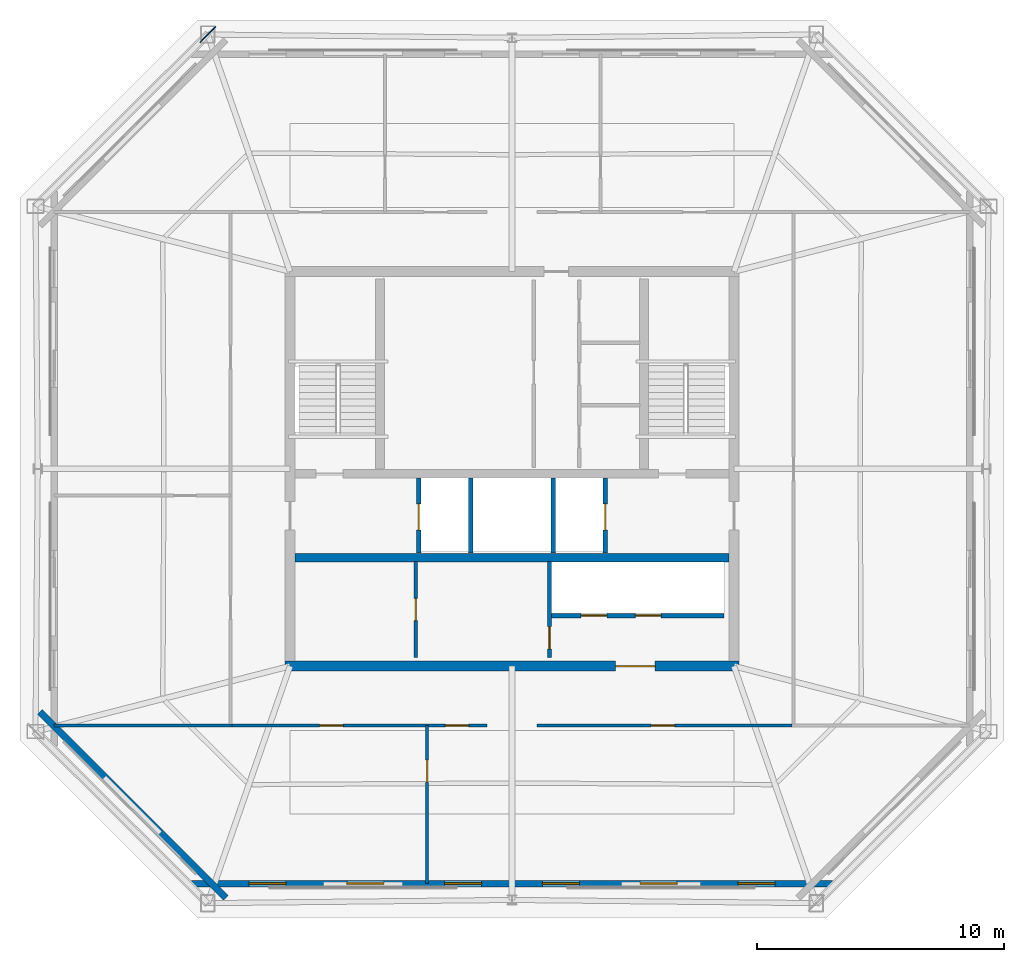
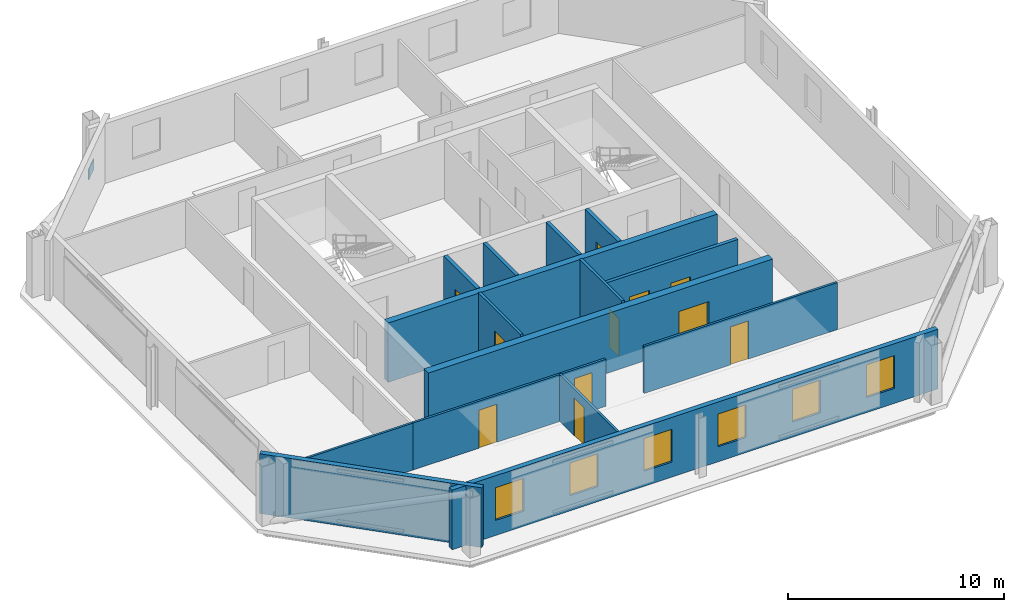
# One storey, part 2 of 6: 15 walls, 11 doors, 6 windows, 1 plate, 17 openings.
"""IFC4 building model written with IfcOpenShell, lengths in metres."""

from ifc_helpers import new_model, si_unit, direction, frame, frame_2d, origin, origin_2d, place, context, subcontext, project, spatial, rectangle, extrude, material, layer, layer_set, type_object, element, fill, save


model = new_model("IFC4")

# Units and contexts
model_context = context("Model", 3, precision=1e-05, world=origin(), true_north=direction((0.0, 1.0)))
body_context = subcontext(model_context, "Body", "Model", "MODEL_VIEW")
ifc_project = project(units=[si_unit("LENGTHUNIT", "METRE"), si_unit("AREAUNIT", "SQUARE_METRE"), si_unit("VOLUMEUNIT", "CUBIC_METRE"), si_unit("PLANEANGLEUNIT", "RADIAN"), si_unit("MASSUNIT", "GRAM", prefix="KILO")], contexts=[model_context])

# Site, building, storey
site_placement = place(None, origin())
site = spatial("IfcSite", under=ifc_project, at=site_placement, CompositionType="ELEMENT")
building_placement = place(site_placement, origin())
building = spatial("IfcBuilding", under=site, at=building_placement, Name="Caelvoria Tower", CompositionType="ELEMENT")
storey_placement = place(building_placement, frame((0.0, 0.0, 243.0)))
storey = spatial("IfcBuildingStorey", under=building, at=storey_placement, Name="L64", CompositionType="ELEMENT", Elevation=243.0)

# Plate
ifc_material_1 = material(Name="Structural Steel ASTM A572 Gr.50", Category="steel")
ifc_layer_1 = layer(ifc_material_1, 0.0400390625, Name="Structural Steel ASTM A572 Gr.50")
ifc_layer_set_1 = layer_set([ifc_layer_1], Name="Megaframe Node Gusset Plate 900x600x40 - Structural Steel ASTM A572 Gr.50")
plate_type = type_object("IfcPlateType", Name="Megaframe Node Gusset Plate 900x600x40", PredefinedType="USERDEFINED", material=ifc_layer_set_1)
plate_placement = place(storey_placement, frame((33.6630859375, 49.6103515625, 0.02001953125), z_axis=(0.0, 0.0, 1.0), x_axis=(-0.708358317156, -0.705853026143, 0.0)))
element("IfcPlate", 1, at=plate_placement, inside=storey, type_object=plate_type, Name="Chamfer Mega Brace Gusset L64 NW", ObjectType="GUSSET_PLATE", PredefinedType="USERDEFINED", context=body_context, shape_type="SweptSolid", body=[
    extrude(rectangle(XDim=0.89990234375, YDim=0.0400390625, at=origin_2d()), origin(), (0.0, 0.0, 1.0), 0.60009765625),
])

# Wall
ifc_material_2 = material(Name="Concrete C50/60", Category="concrete")
ifc_layer_2 = layer(ifc_material_2, 0.35009765625, Name="Concrete C50/60")
ifc_layer_set_2 = layer_set([ifc_layer_2], Name="Core Internal Shear Wall 350 - Concrete C50/60")
wall_type_1 = type_object("IfcWallType", Name="Core Internal Shear Wall 350", PredefinedType="SHEAR", material=ifc_layer_set_2)
wall_1_placement = place(storey_placement, frame((37.199951171875, 28.39990234375, 0.0), z_axis=(0.0, 0.0, 1.0), x_axis=(1.0, 0.0, 0.0)))
element("IfcWall", 2, at=wall_1_placement, inside=storey, type_object=wall_type_1, Name="Core Shear Wall L64 M2", PredefinedType="SHEAR", context=body_context, shape_type="SweptSolid", body=[
    extrude(rectangle(XDim=17.60009765625, YDim=0.35009765625, at=frame_2d((8.800048828125, 0.0))), origin(), (0.0, 0.0, 1.0), 3.360107421875),
])

# Wall, opening, door
ifc_material_3 = material(Name="Double Gypsum Board on Steel Stud", Category="steel")
ifc_layer_3 = layer(ifc_material_3, 0.14990234375, Name="Double Gypsum Board on Steel Stud")
ifc_layer_set_3 = layer_set([ifc_layer_3], Name="Core Service Acoustic Partition Wall 150 - Double Gypsum Board on Steel Stud")
wall_type_2 = type_object("IfcWallType", Name="Core Service Acoustic Partition Wall 150", PredefinedType="PARTITIONING", material=ifc_layer_set_3)
wall_2_placement = place(storey_placement, frame((42.10009765625, 24.35009765625, 0.0), z_axis=(0.0, 0.0, 1.0), x_axis=(0.0, 1.0, 0.0)))
wall_2 = element("IfcWall", 3, at=wall_2_placement, inside=storey, type_object=wall_type_2, Name="Interior Partition IW-L64-RECL-MID", PredefinedType="PARTITIONING", context=body_context, shape_type="SweptSolid", body=[
    extrude(rectangle(XDim=3.89990234375, YDim=0.14990234375, at=frame_2d((1.949951171875, 0.0))), origin(), (0.0, 0.0, 1.0), 3.375),
])
opening_1_placement = place(wall_2_placement, frame((1.5, 0.0, 0.0)))
opening_1 = element("IfcOpeningElement", 4, at=opening_1_placement, cuts=wall_2, Name="Opening ID-06", PredefinedType="OPENING", context=body_context, shape_type="SweptSolid", body=[
    extrude(rectangle(XDim=0.89990234375, YDim=2.14990234375, at=frame_2d((0.449951171875, 1.074951171875))), frame((0.0, 0.0849609375, 0.0), z_axis=(0.0, -1.0, 0.0), x_axis=(1.0, 0.0, 0.0)), (0.0, 0.0, 1.0), 0.169921875),
])
ifc_material_4 = material(Name="Engineered Andean Oak Veneer Door", Category="wood")
door_type_1 = type_object("IfcDoorType", Name="Interior Timber Door 900x2150", OperationType="NOTDEFINED", PredefinedType="DOOR", material=ifc_material_4)
door_1_placement = place(opening_1_placement, origin())
door_1 = element("IfcDoor", 5, at=door_1_placement, inside=storey, type_object=door_type_1, Name="Interior Door DR-L64-RECL12", OperationType="SINGLE_SWING_LEFT", OverallHeight=2.14990234375, OverallWidth=0.89990234375, PredefinedType="DOOR", context=body_context, shape_type="SweptSolid", body=[
    extrude(rectangle(XDim=0.89990234375, YDim=2.14990234375, at=frame_2d((0.449951171875, 1.074951171875))), frame((0.0, 0.02490234375, 0.0), z_axis=(0.0, -1.0, 0.0), x_axis=(1.0, 0.0, 0.0)), (0.0, 0.0, 1.0), 0.050048828125),
])
fill(opening_1, door_1)

wall_3_placement = place(storey_placement, frame((47.52001953125, 24.35009765625, 0.0), z_axis=(0.0, 0.0, 1.0), x_axis=(0.0, 1.0, 0.0)))
wall_3 = element("IfcWall", 6, at=wall_3_placement, inside=storey, type_object=wall_type_2, Name="Interior Partition IW-L64-RECL2E", PredefinedType="PARTITIONING", context=body_context, shape_type="SweptSolid", body=[
    extrude(rectangle(XDim=3.89990234375, YDim=0.14990234375, at=frame_2d((1.949951171875, 0.0))), origin(), (0.0, 0.0, 1.0), 3.375),
])
opening_2_placement = place(wall_3_placement, frame((0.35009765625, 0.0, 0.0)))
opening_2 = element("IfcOpeningElement", 7, at=opening_2_placement, cuts=wall_3, Name="Opening ID-04", PredefinedType="OPENING", context=body_context, shape_type="SweptSolid", body=[
    extrude(rectangle(XDim=0.89990234375, YDim=2.14990234375, at=frame_2d((0.449951171875, 1.074951171875))), frame((0.0, 0.0849609375, 0.0), z_axis=(0.0, -1.0, 0.0), x_axis=(1.0, 0.0, 0.0)), (0.0, 0.0, 1.0), 0.169921875),
])
ifc_material_5 = material(Name="Acoustic Timber Fire Door", Category="wood")
door_type_2 = type_object("IfcDoorType", Name="Fire Door FD30S 900x2150", OperationType="NOTDEFINED", PredefinedType="DOOR", material=ifc_material_5)
door_2_placement = place(opening_2_placement, origin())
door_2 = element("IfcDoor", 8, at=door_2_placement, inside=storey, type_object=door_type_2, Name="Interior Door DR-L64-RECL2", OperationType="SINGLE_SWING_RIGHT", OverallHeight=2.14990234375, OverallWidth=0.89990234375, PredefinedType="DOOR", context=body_context, shape_type="SweptSolid", body=[
    extrude(rectangle(XDim=0.89990234375, YDim=2.14990234375, at=frame_2d((0.449951171875, 1.074951171875))), frame((0.0, 0.02490234375, 0.0), z_axis=(0.0, -1.0, 0.0), x_axis=(1.0, 0.0, 0.0)), (0.0, 0.0, 1.0), 0.050048828125),
])
fill(opening_2, door_2)

# Walls
ifc_material_6 = material(Name="Concrete Block and Fireboard Assembly", Category="concrete")
ifc_layer_4 = layer(ifc_material_6, 0.179931640625, Name="Concrete Block and Fireboard Assembly")
ifc_layer_set_4 = layer_set([ifc_layer_4], Name="Fire-Rated Hoistway Partition Wall 180 - Concrete Block and Fireboard Assembly")
wall_type_3 = type_object("IfcWallType", Name="Fire-Rated Hoistway Partition Wall 180", PredefinedType="PARTITIONING", material=ifc_layer_set_4)
for number, where, z_axis, x_axis, name in (
    (9, (44.320068359375, 28.580078125, 0.0), (0.0, 0.0, 1.0), (0.0, 1.0, 0.0), "Interior Partition IW-L64-SV1W"),
    (10, (47.679931640625, 28.580078125, 0.0), (0.0, 0.0, 1.0), (0.0, 1.0, 0.0), "Interior Partition IW-L64-SV1E"),
):
    element("IfcWall", number, at=place(storey_placement, frame(where, z_axis=z_axis, x_axis=x_axis)), inside=storey, type_object=wall_type_3, Name=name, PredefinedType="PARTITIONING", context=body_context, shape_type="SweptSolid", body=[
        extrude(rectangle(XDim=3.0400390625, YDim=0.179931640625, at=frame_2d((1.52001953125, 0.0))), origin(), (0.0, 0.0, 1.0), 3.375),
    ])

# Wall, openings, doors
wall_4_placement = place(storey_placement, frame((47.60009765625, 26.050048828125, 0.0), z_axis=(0.0, 0.0, 1.0), x_axis=(1.0, 0.0, 0.0)))
wall_4 = element("IfcWall", 11, at=wall_4_placement, inside=storey, type_object=wall_type_3, Name="Interior Partition IW-L64-LFRONT", PredefinedType="PARTITIONING", context=body_context, shape_type="SweptSolid", body=[
    extrude(rectangle(XDim=7.0, YDim=0.179931640625, at=frame_2d((3.5, 0.0))), origin(), (0.0, 0.0, 1.0), 3.375),
])
opening_3_placement = place(wall_4_placement, frame((1.199951171875, 0.0, 0.0)))
opening_3 = element("IfcOpeningElement", 12, at=opening_3_placement, cuts=wall_4, Name="Opening LD-01", PredefinedType="OPENING", context=body_context, shape_type="SweptSolid", body=[
    extrude(rectangle(XDim=1.050048828125, YDim=2.14990234375, at=frame_2d((0.52490234375, 1.074951171875))), frame((0.0, 0.099853515625, 0.0), z_axis=(0.0, -1.0, 0.0), x_axis=(1.0, 0.0, 0.0)), (0.0, 0.0, 1.0), 0.199951171875),
])
opening_4_placement = place(wall_4_placement, frame((3.39990234375, 0.0, 0.0)))
opening_4 = element("IfcOpeningElement", 13, at=opening_4_placement, cuts=wall_4, Name="Opening LD-01", PredefinedType="OPENING", context=body_context, shape_type="SweptSolid", body=[
    extrude(rectangle(XDim=1.050048828125, YDim=2.14990234375, at=frame_2d((0.52490234375, 1.074951171875))), frame((0.0, 0.099853515625, 0.0), z_axis=(0.0, -1.0, 0.0), x_axis=(1.0, 0.0, 0.0)), (0.0, 0.0, 1.0), 0.199951171875),
])
ifc_material_7 = material(Name="Brushed Bronze Stainless Sliding Landing Door", Category="aluminium")
door_type_3 = type_object("IfcDoorType", Name="Lift Landing Sliding Door 1100x2150", OperationType="NOTDEFINED", PredefinedType="DOOR", material=ifc_material_7)
door_3_placement = place(opening_3_placement, origin())
door_3 = element("IfcDoor", 14, at=door_3_placement, inside=storey, type_object=door_type_3, Name="Interior Door LD-L64-PH1", OperationType="SLIDING_TO_LEFT", OverallHeight=2.14990234375, OverallWidth=1.050048828125, PredefinedType="DOOR", context=body_context, shape_type="SweptSolid", body=[
    extrude(rectangle(XDim=1.050048828125, YDim=2.14990234375, at=frame_2d((0.52490234375, 1.074951171875))), frame((0.0, 0.02490234375, 0.0), z_axis=(0.0, -1.0, 0.0), x_axis=(1.0, 0.0, 0.0)), (0.0, 0.0, 1.0), 0.050048828125),
])
fill(opening_3, door_3)
door_4_placement = place(opening_4_placement, origin())
door_4 = element("IfcDoor", 15, at=door_4_placement, inside=storey, type_object=door_type_3, Name="Interior Door LD-L64-PH2", OperationType="SLIDING_TO_RIGHT", OverallHeight=2.14990234375, OverallWidth=1.050048828125, PredefinedType="DOOR", context=body_context, shape_type="SweptSolid", body=[
    extrude(rectangle(XDim=1.050048828125, YDim=2.14990234375, at=frame_2d((0.52490234375, 1.074951171875))), frame((0.0, 0.02490234375, 0.0), z_axis=(0.0, -1.0, 0.0), x_axis=(1.0, 0.0, 0.0)), (0.0, 0.0, 1.0), 0.050048828125),
])
fill(opening_4, door_4)

# Wall, opening, door
ifc_layer_5 = layer(ifc_material_6, 0.199951171875, Name="Concrete Block and Fireboard Assembly")
ifc_layer_set_5 = layer_set([ifc_layer_5], Name="Fire-Rated Shaft and Core Partition Wall 200 - Concrete Block and Fireboard Assembly")
wall_type_4 = type_object("IfcWallType", Name="Fire-Rated Shaft and Core Partition Wall 200", PredefinedType="PARTITIONING", material=ifc_layer_set_5)
wall_5_placement = place(storey_placement, frame((42.219970703125, 28.580078125, 0.0), z_axis=(0.0, 0.0, 1.0), x_axis=(0.0, 1.0, 0.0)))
wall_5 = element("IfcWall", 16, at=wall_5_placement, inside=storey, type_object=wall_type_4, Name="Interior Partition IW-L64-LF1W", PredefinedType="PARTITIONING", context=body_context, shape_type="SweptSolid", body=[
    extrude(rectangle(XDim=3.0400390625, YDim=0.199951171875, at=frame_2d((1.52001953125, 0.0))), origin(), (0.0, 0.0, 1.0), 3.375),
])
opening_5_placement = place(wall_5_placement, frame((0.949951171875, 0.0, 0.0)))
opening_5 = element("IfcOpeningElement", 17, at=opening_5_placement, cuts=wall_5, Name="Opening LD-01", PredefinedType="OPENING", context=body_context, shape_type="SweptSolid", body=[
    extrude(rectangle(XDim=1.050048828125, YDim=2.14990234375, at=frame_2d((0.52490234375, 1.074951171875))), frame((0.0, 0.10986328125, 0.0), z_axis=(0.0, -1.0, 0.0), x_axis=(1.0, 0.0, 0.0)), (0.0, 0.0, 1.0), 0.219970703125),
])
door_5_placement = place(opening_5_placement, origin())
door_5 = element("IfcDoor", 18, at=door_5_placement, inside=storey, type_object=door_type_3, Name="Interior Door LD-L64-LF1", OperationType="SLIDING_TO_LEFT", OverallHeight=2.14990234375, OverallWidth=1.050048828125, PredefinedType="DOOR", context=body_context, shape_type="SweptSolid", body=[
    extrude(rectangle(XDim=1.050048828125, YDim=2.14990234375, at=frame_2d((0.52490234375, 1.074951171875))), frame((0.0, 0.02490234375, 0.0), z_axis=(0.0, -1.0, 0.0), x_axis=(1.0, 0.0, 0.0)), (0.0, 0.0, 1.0), 0.050048828125),
])
fill(opening_5, door_5)

wall_6_placement = place(storey_placement, frame((49.780029296875, 28.580078125, 0.0), z_axis=(0.0, 0.0, 1.0), x_axis=(0.0, 1.0, 0.0)))
wall_6 = element("IfcWall", 19, at=wall_6_placement, inside=storey, type_object=wall_type_4, Name="Interior Partition IW-L64-LF2E", PredefinedType="PARTITIONING", context=body_context, shape_type="SweptSolid", body=[
    extrude(rectangle(XDim=3.0400390625, YDim=0.199951171875, at=frame_2d((1.52001953125, 0.0))), origin(), (0.0, 0.0, 1.0), 3.375),
])
opening_6_placement = place(wall_6_placement, frame((0.949951171875, 0.0, 0.0)))
opening_6 = element("IfcOpeningElement", 20, at=opening_6_placement, cuts=wall_6, Name="Opening LD-01", PredefinedType="OPENING", context=body_context, shape_type="SweptSolid", body=[
    extrude(rectangle(XDim=1.050048828125, YDim=2.14990234375, at=frame_2d((0.52490234375, 1.074951171875))), frame((0.0, 0.10986328125, 0.0), z_axis=(0.0, -1.0, 0.0), x_axis=(1.0, 0.0, 0.0)), (0.0, 0.0, 1.0), 0.219970703125),
])
door_6_placement = place(opening_6_placement, origin())
door_6 = element("IfcDoor", 21, at=door_6_placement, inside=storey, type_object=door_type_3, Name="Interior Door LD-L64-LF2", OperationType="SLIDING_TO_RIGHT", OverallHeight=2.14990234375, OverallWidth=1.050048828125, PredefinedType="DOOR", context=body_context, shape_type="SweptSolid", body=[
    extrude(rectangle(XDim=1.050048828125, YDim=2.14990234375, at=frame_2d((0.52490234375, 1.074951171875))), frame((0.0, 0.02490234375, 0.0), z_axis=(0.0, -1.0, 0.0), x_axis=(1.0, 0.0, 0.0)), (0.0, 0.0, 1.0), 0.050048828125),
])
fill(opening_6, door_6)

ifc_layer_6 = layer(ifc_material_2, 0.39990234375, Name="Concrete C50/60")
ifc_layer_set_6 = layer_set([ifc_layer_6], Name="Summit Core Shear Wall 400 - Concrete C50/60")
wall_type_5 = type_object("IfcWallType", Name="Summit Core Shear Wall 400", PredefinedType="SHEAR", material=ifc_layer_set_6)
wall_7_placement = place(storey_placement, frame((36.800048828125, 24.0, 0.0), z_axis=(0.0, 0.0, 1.0), x_axis=(1.0, 0.0, 0.0)))
wall_7 = element("IfcWall", 22, at=wall_7_placement, inside=storey, type_object=wall_type_5, Name="Core Shear Wall L64 S", PredefinedType="SHEAR", context=body_context, shape_type="SweptSolid", body=[
    extrude(rectangle(XDim=18.39990234375, YDim=0.39990234375, at=frame_2d((9.199951171875, 0.0))), origin(), (0.0, 0.0, 1.0), 3.360107421875),
])
opening_7_placement = place(wall_7_placement, frame((13.39990234375, 0.0, 0.0)))
opening_7 = element("IfcOpeningElement", 23, at=opening_7_placement, cuts=wall_7, Name="Opening ID-08", PredefinedType="OPENING", context=body_context, shape_type="SweptSolid", body=[
    extrude(rectangle(XDim=1.60009765625, YDim=2.14990234375, at=frame_2d((0.800048828125, 1.074951171875))), frame((0.0, 0.2099609375, 0.0), z_axis=(0.0, -1.0, 0.0), x_axis=(1.0, 0.0, 0.0)), (0.0, 0.0, 1.0), 0.419921875),
])
ifc_material_8 = material(Name="Bronze-Framed Fire-Rated Glazed Double Door", Category="aluminium")
door_type_4 = type_object("IfcDoorType", Name="Double Lobby Glazed Door 1600x2200", OperationType="NOTDEFINED", PredefinedType="DOOR", material=ifc_material_8)
door_7_placement = place(opening_7_placement, origin())
door_7 = element("IfcDoor", 24, at=door_7_placement, inside=storey, type_object=door_type_4, Name="Core Door DR-L64-LLOB-S2", OperationType="DOUBLE_DOOR_SINGLE_SWING", OverallHeight=2.14990234375, OverallWidth=1.60009765625, PredefinedType="DOOR", context=body_context, shape_type="SweptSolid", body=[
    extrude(rectangle(XDim=1.60009765625, YDim=2.14990234375, at=frame_2d((0.800048828125, 1.074951171875))), frame((0.0, 0.02490234375, 0.0), z_axis=(0.0, -1.0, 0.0), x_axis=(1.0, 0.0, 0.0)), (0.0, 0.0, 1.0), 0.050048828125),
])
fill(opening_7, door_7)

ifc_material_9 = material(Name="Acoustic Gypsum Board on Light-Gauge Stud", Category="gypsum")
ifc_layer_7 = layer(ifc_material_9, 0.1201171875, Name="Acoustic Gypsum Board on Light-Gauge Stud")
ifc_layer_set_7 = layer_set([ifc_layer_7], Name="Tenant Suite Acoustic Partition Wall 120 - Acoustic Gypsum Board on Light-Gauge Stud")
wall_type_6 = type_object("IfcWallType", Name="Tenant Suite Acoustic Partition Wall 120", PredefinedType="PARTITIONING", material=ifc_layer_set_7)
wall_8_placement = place(storey_placement, frame((42.55908203125, 21.590087890625, 0.0), z_axis=(0.0, 0.0, 1.0), x_axis=(0.0, -1.0, 0.0)))
wall_8 = element("IfcWall", 25, at=wall_8_placement, inside=storey, type_object=wall_type_6, Name="Interior Partition IW-L64-SD-00-0", PredefinedType="PARTITIONING", context=body_context, shape_type="SweptSolid", body=[
    extrude(rectangle(XDim=6.41015625, YDim=0.1201171875, at=frame_2d((3.205078125, 0.0))), origin(), (0.0, 0.0, 1.0), 2.655029296875),
])
opening_8_placement = place(wall_8_placement, frame((1.39990234375, 0.0, 0.0)))
opening_8 = element("IfcOpeningElement", 26, at=opening_8_placement, cuts=wall_8, Name="Opening ID-06", PredefinedType="OPENING", context=body_context, shape_type="SweptSolid", body=[
    extrude(rectangle(XDim=0.89990234375, YDim=2.14990234375, at=frame_2d((0.449951171875, 1.074951171875))), frame((0.0, 0.070068359375, 0.0), z_axis=(0.0, -1.0, 0.0), x_axis=(1.0, 0.0, 0.0)), (0.0, 0.0, 1.0), 0.14013671875),
])
door_8_placement = place(opening_8_placement, origin())
door_8 = element("IfcDoor", 27, at=door_8_placement, inside=storey, type_object=door_type_1, Name="Interior Door DR-L64-SM-00-0", OperationType="SINGLE_SWING_RIGHT", OverallHeight=2.14990234375, OverallWidth=0.89990234375, PredefinedType="DOOR", context=body_context, shape_type="SweptSolid", body=[
    extrude(rectangle(XDim=0.89990234375, YDim=2.14990234375, at=frame_2d((0.449951171875, 1.074951171875))), frame((0.0, 0.02490234375, 0.0), z_axis=(0.0, -1.0, 0.0), x_axis=(1.0, 0.0, 0.0)), (0.0, 0.0, 1.0), 0.050048828125),
])
fill(opening_8, door_8)

# Wall, openings, doors
wall_9_placement = place(storey_placement, frame((34.64990234375, 21.590087890625, 0.0), z_axis=(0.0, 0.0, 1.0), x_axis=(1.0, 0.0, 0.0)))
wall_9 = element("IfcWall", 28, at=wall_9_placement, inside=storey, type_object=wall_type_6, Name="Interior Partition IW-L64-SCW-0", PredefinedType="PARTITIONING", context=body_context, shape_type="SweptSolid", body=[
    extrude(rectangle(XDim=10.330078125, YDim=0.1201171875, at=frame_2d((5.1650390625, 0.0))), origin(), (0.0, 0.0, 1.0), 2.655029296875),
])
opening_9_placement = place(wall_9_placement, frame((3.549560546875, 0.0, 0.0)))
opening_9 = element("IfcOpeningElement", 29, at=opening_9_placement, cuts=wall_9, Name="Opening ID-05", PredefinedType="OPENING", context=body_context, shape_type="SweptSolid", body=[
    extrude(rectangle(XDim=0.949951171875, YDim=2.14990234375, at=frame_2d((0.47509765625, 1.074951171875))), frame((0.0, 0.070068359375, 0.0), z_axis=(0.0, -1.0, 0.0), x_axis=(1.0, 0.0, 0.0)), (0.0, 0.0, 1.0), 0.14013671875),
])
opening_10_placement = place(wall_9_placement, frame((8.64453125, 0.0, 0.0)))
opening_10 = element("IfcOpeningElement", 30, at=opening_10_placement, cuts=wall_9, Name="Opening ID-05", PredefinedType="OPENING", context=body_context, shape_type="SweptSolid", body=[
    extrude(rectangle(XDim=0.949951171875, YDim=2.14990234375, at=frame_2d((0.47509765625, 1.074951171875))), frame((0.0, 0.070068359375, 0.0), z_axis=(0.0, -1.0, 0.0), x_axis=(1.0, 0.0, 0.0)), (0.0, 0.0, 1.0), 0.14013671875),
])
door_type_5 = type_object("IfcDoorType", Name="Interior Timber Door 950x2150", OperationType="NOTDEFINED", PredefinedType="DOOR", material=ifc_material_4)
door_9_placement = place(opening_9_placement, origin())
door_9 = element("IfcDoor", 31, at=door_9_placement, inside=storey, type_object=door_type_5, Name="Interior Door DR-L64-SC-00-0", OperationType="SINGLE_SWING_LEFT", OverallHeight=2.14990234375, OverallWidth=0.949951171875, PredefinedType="DOOR", context=body_context, shape_type="SweptSolid", body=[
    extrude(rectangle(XDim=0.949951171875, YDim=2.14990234375, at=frame_2d((0.47509765625, 1.074951171875))), frame((0.0, 0.02490234375, 0.0), z_axis=(0.0, -1.0, 0.0), x_axis=(1.0, 0.0, 0.0)), (0.0, 0.0, 1.0), 0.050048828125),
])
fill(opening_9, door_9)
door_10_placement = place(opening_10_placement, origin())
door_10 = element("IfcDoor", 32, at=door_10_placement, inside=storey, type_object=door_type_5, Name="Interior Door DR-L64-SC-01-0", OperationType="SINGLE_SWING_RIGHT", OverallHeight=2.14990234375, OverallWidth=0.949951171875, PredefinedType="DOOR", context=body_context, shape_type="SweptSolid", body=[
    extrude(rectangle(XDim=0.949951171875, YDim=2.14990234375, at=frame_2d((0.47509765625, 1.074951171875))), frame((0.0, 0.02490234375, 0.0), z_axis=(0.0, -1.0, 0.0), x_axis=(1.0, 0.0, 0.0)), (0.0, 0.0, 1.0), 0.050048828125),
])
fill(opening_10, door_10)

# Wall, opening, door
wall_10_placement = place(storey_placement, frame((47.02001953125, 21.590087890625, 0.0), z_axis=(0.0, 0.0, 1.0), x_axis=(1.0, 0.0, 0.0)))
wall_10 = element("IfcWall", 33, at=wall_10_placement, inside=storey, type_object=wall_type_6, Name="Interior Partition IW-L64-SCW-1", PredefinedType="PARTITIONING", context=body_context, shape_type="SweptSolid", body=[
    extrude(rectangle(XDim=10.330078125, YDim=0.1201171875, at=frame_2d((5.1650390625, 0.0))), origin(), (0.0, 0.0, 1.0), 2.655029296875),
])
opening_11_placement = place(wall_10_placement, frame((4.6201171875, 0.0, 0.0)))
opening_11 = element("IfcOpeningElement", 34, at=opening_11_placement, cuts=wall_10, Name="Opening ID-05", PredefinedType="OPENING", context=body_context, shape_type="SweptSolid", body=[
    extrude(rectangle(XDim=0.949951171875, YDim=2.14990234375, at=frame_2d((0.47509765625, 1.074951171875))), frame((0.0, 0.070068359375, 0.0), z_axis=(0.0, -1.0, 0.0), x_axis=(1.0, 0.0, 0.0)), (0.0, 0.0, 1.0), 0.14013671875),
])
door_11_placement = place(opening_11_placement, origin())
door_11 = element("IfcDoor", 35, at=door_11_placement, inside=storey, type_object=door_type_5, Name="Interior Door DR-L64-SC-02-0", OperationType="SINGLE_SWING_LEFT", OverallHeight=2.14990234375, OverallWidth=0.949951171875, PredefinedType="DOOR", context=body_context, shape_type="SweptSolid", body=[
    extrude(rectangle(XDim=0.949951171875, YDim=2.14990234375, at=frame_2d((0.47509765625, 1.074951171875))), frame((0.0, 0.02490234375, 0.0), z_axis=(0.0, -1.0, 0.0), x_axis=(1.0, 0.0, 0.0)), (0.0, 0.0, 1.0), 0.050048828125),
])
fill(opening_11, door_11)

# Wall
wall_11_placement = place(storey_placement, frame((34.64990234375, 21.590087890625, 0.0), z_axis=(0.0, 0.0, 1.0), x_axis=(-1.0, 0.0, 0.0)))
element("IfcWall", 36, at=wall_11_placement, inside=storey, type_object=wall_type_6, Name="Interior Partition IW-L64-BSW-0", PredefinedType="PARTITIONING", context=body_context, shape_type="SweptSolid", body=[
    extrude(rectangle(XDim=7.219970703125, YDim=0.1201171875, at=frame_2d((3.60986328125, 0.0))), origin(), (0.0, 0.0, 1.0), 2.655029296875),
])

# Wall, openings, windows
ifc_material_10 = material(Name="Precast Concrete C40/50 with Bronze Cladding", Category="concrete")
ifc_layer_8 = layer(ifc_material_10, 0.264892578125, Name="Precast Concrete C40/50 with Bronze Cladding")
ifc_layer_set_8 = layer_set([ifc_layer_8], Name="Upper Taper Precast Concrete C40/50 Bronze Facade Wall 265 - Precast Concrete C40/50 with Bronze Cladding")
wall_type_7 = type_object("IfcWallType", Name="Upper Taper Precast Concrete C40/50 Bronze Facade Wall 265", PredefinedType="STANDARD", material=ifc_layer_set_8)
wall_12_placement = place(storey_placement, frame((33.010009765625, 15.179931640625, 0.0), z_axis=(0.0, 0.0, 1.0), x_axis=(1.0, 0.0, 0.0)))
wall_12 = element("IfcWall", 37, at=wall_12_placement, inside=storey, type_object=wall_type_7, Name="Exterior Facade Wall L64-E0", PredefinedType="STANDARD", context=body_context, shape_type="SweptSolid", body=[
    extrude(rectangle(XDim=25.97998046875, YDim=0.264892578125, at=frame_2d((12.989990234375, 0.0))), origin(), (0.0, 0.0, 1.0), 3.375),
])
opening_12_placement = place(wall_12_placement, frame((2.331787109375, 0.0, 0.85009765625)))
opening_12 = element("IfcOpeningElement", 38, at=opening_12_placement, cuts=wall_12, Name="Opening WN-03", PredefinedType="OPENING", context=body_context, shape_type="SweptSolid", body=[
    extrude(rectangle(XDim=1.5, YDim=1.85009765625, at=frame_2d((0.75, 0.925048828125))), frame((0.0, 0.142333984375, 0.0), z_axis=(0.0, -1.0, 0.0), x_axis=(1.0, 0.0, 0.0)), (0.0, 0.0, 1.0), 0.284912109375),
])
opening_13_placement = place(wall_12_placement, frame((6.294921875, 0.0, 0.85009765625)))
opening_13 = element("IfcOpeningElement", 39, at=opening_13_placement, cuts=wall_12, Name="Opening WN-03", PredefinedType="OPENING", context=body_context, shape_type="SweptSolid", body=[
    extrude(rectangle(XDim=1.5, YDim=1.85009765625, at=frame_2d((0.75, 0.925048828125))), frame((0.0, 0.142333984375, 0.0), z_axis=(0.0, -1.0, 0.0), x_axis=(1.0, 0.0, 0.0)), (0.0, 0.0, 1.0), 0.284912109375),
])
opening_14_placement = place(wall_12_placement, frame((10.25830078125, 0.0, 0.85009765625)))
opening_14 = element("IfcOpeningElement", 40, at=opening_14_placement, cuts=wall_12, Name="Opening WN-03", PredefinedType="OPENING", context=body_context, shape_type="SweptSolid", body=[
    extrude(rectangle(XDim=1.5, YDim=1.85009765625, at=frame_2d((0.75, 0.925048828125))), frame((0.0, 0.142333984375, 0.0), z_axis=(0.0, -1.0, 0.0), x_axis=(1.0, 0.0, 0.0)), (0.0, 0.0, 1.0), 0.284912109375),
])
opening_15_placement = place(wall_12_placement, frame((14.2216796875, 0.0, 0.85009765625)))
opening_15 = element("IfcOpeningElement", 41, at=opening_15_placement, cuts=wall_12, Name="Opening WN-03", PredefinedType="OPENING", context=body_context, shape_type="SweptSolid", body=[
    extrude(rectangle(XDim=1.5, YDim=1.85009765625, at=frame_2d((0.75, 0.925048828125))), frame((0.0, 0.142333984375, 0.0), z_axis=(0.0, -1.0, 0.0), x_axis=(1.0, 0.0, 0.0)), (0.0, 0.0, 1.0), 0.284912109375),
])
opening_16_placement = place(wall_12_placement, frame((18.18505859375, 0.0, 0.85009765625)))
opening_16 = element("IfcOpeningElement", 42, at=opening_16_placement, cuts=wall_12, Name="Opening WN-03", PredefinedType="OPENING", context=body_context, shape_type="SweptSolid", body=[
    extrude(rectangle(XDim=1.5, YDim=1.85009765625, at=frame_2d((0.75, 0.925048828125))), frame((0.0, 0.142333984375, 0.0), z_axis=(0.0, -1.0, 0.0), x_axis=(1.0, 0.0, 0.0)), (0.0, 0.0, 1.0), 0.284912109375),
])
opening_17_placement = place(wall_12_placement, frame((22.148193359375, 0.0, 0.85009765625)))
opening_17 = element("IfcOpeningElement", 43, at=opening_17_placement, cuts=wall_12, Name="Opening WN-03", PredefinedType="OPENING", context=body_context, shape_type="SweptSolid", body=[
    extrude(rectangle(XDim=1.5, YDim=1.85009765625, at=frame_2d((0.75, 0.925048828125))), frame((0.0, 0.142333984375, 0.0), z_axis=(0.0, -1.0, 0.0), x_axis=(1.0, 0.0, 0.0)), (0.0, 0.0, 1.0), 0.284912109375),
])
ifc_material_11 = material(Name="Low-E Tinted Glass in Bronze Aluminium Frame", Category="aluminium")
window_type = type_object("IfcWindowType", Name="Upper Taper Vision Window 1500x1850", PartitioningType="SINGLE_PANEL", PredefinedType="WINDOW", material=ifc_material_11)
window_1_placement = place(opening_12_placement, origin())
window_1 = element("IfcWindow", 44, at=window_1_placement, inside=storey, type_object=window_type, Name="Facade Window L64-E0-00", OverallHeight=1.85009765625, OverallWidth=1.5, PartitioningType="SINGLE_PANEL", PredefinedType="WINDOW", context=body_context, shape_type="SweptSolid", body=[
    extrude(rectangle(XDim=1.5, YDim=1.85009765625, at=frame_2d((0.75, 0.925048828125))), frame((0.0, 0.030029296875, 0.0), z_axis=(0.0, -1.0, 0.0), x_axis=(1.0, 0.0, 0.0)), (0.0, 0.0, 1.0), 0.06005859375),
])
fill(opening_12, window_1)
window_2_placement = place(opening_13_placement, origin())
window_2 = element("IfcWindow", 45, at=window_2_placement, inside=storey, type_object=window_type, Name="Facade Window L64-E0-01", OverallHeight=1.85009765625, OverallWidth=1.5, PartitioningType="SINGLE_PANEL", PredefinedType="WINDOW", context=body_context, shape_type="SweptSolid", body=[
    extrude(rectangle(XDim=1.5, YDim=1.85009765625, at=frame_2d((0.75, 0.925048828125))), frame((0.0, 0.030029296875, 0.0), z_axis=(0.0, -1.0, 0.0), x_axis=(1.0, 0.0, 0.0)), (0.0, 0.0, 1.0), 0.06005859375),
])
fill(opening_13, window_2)
window_3_placement = place(opening_14_placement, origin())
window_3 = element("IfcWindow", 46, at=window_3_placement, inside=storey, type_object=window_type, Name="Facade Window L64-E0-02", OverallHeight=1.85009765625, OverallWidth=1.5, PartitioningType="SINGLE_PANEL", PredefinedType="WINDOW", context=body_context, shape_type="SweptSolid", body=[
    extrude(rectangle(XDim=1.5, YDim=1.85009765625, at=frame_2d((0.75, 0.925048828125))), frame((0.0, 0.030029296875, 0.0), z_axis=(0.0, -1.0, 0.0), x_axis=(1.0, 0.0, 0.0)), (0.0, 0.0, 1.0), 0.06005859375),
])
fill(opening_14, window_3)
window_4_placement = place(opening_15_placement, origin())
window_4 = element("IfcWindow", 47, at=window_4_placement, inside=storey, type_object=window_type, Name="Facade Window L64-E0-03", OverallHeight=1.85009765625, OverallWidth=1.5, PartitioningType="SINGLE_PANEL", PredefinedType="WINDOW", context=body_context, shape_type="SweptSolid", body=[
    extrude(rectangle(XDim=1.5, YDim=1.85009765625, at=frame_2d((0.75, 0.925048828125))), frame((0.0, 0.030029296875, 0.0), z_axis=(0.0, -1.0, 0.0), x_axis=(1.0, 0.0, 0.0)), (0.0, 0.0, 1.0), 0.06005859375),
])
fill(opening_15, window_4)
window_5_placement = place(opening_16_placement, origin())
window_5 = element("IfcWindow", 48, at=window_5_placement, inside=storey, type_object=window_type, Name="Facade Window L64-E0-04", OverallHeight=1.85009765625, OverallWidth=1.5, PartitioningType="SINGLE_PANEL", PredefinedType="WINDOW", context=body_context, shape_type="SweptSolid", body=[
    extrude(rectangle(XDim=1.5, YDim=1.85009765625, at=frame_2d((0.75, 0.925048828125))), frame((0.0, 0.030029296875, 0.0), z_axis=(0.0, -1.0, 0.0), x_axis=(1.0, 0.0, 0.0)), (0.0, 0.0, 1.0), 0.06005859375),
])
fill(opening_16, window_5)
window_6_placement = place(opening_17_placement, origin())
window_6 = element("IfcWindow", 49, at=window_6_placement, inside=storey, type_object=window_type, Name="Facade Window L64-E0-05", OverallHeight=1.85009765625, OverallWidth=1.5, PartitioningType="SINGLE_PANEL", PredefinedType="WINDOW", context=body_context, shape_type="SweptSolid", body=[
    extrude(rectangle(XDim=1.5, YDim=1.85009765625, at=frame_2d((0.75, 0.925048828125))), frame((0.0, 0.030029296875, 0.0), z_axis=(0.0, -1.0, 0.0), x_axis=(1.0, 0.0, 0.0)), (0.0, 0.0, 1.0), 0.06005859375),
])
fill(opening_17, window_6)

# Wall
wall_13_placement = place(storey_placement, frame((26.856201171875, 22.1455078125, 0.0), z_axis=(0.0, 0.0, 1.0), x_axis=(0.707106781187, -0.707106781187, 0.0)))
element("IfcWall", 50, at=wall_13_placement, inside=storey, type_object=wall_type_7, Name="Exterior Facade Wall L64-E7", PredefinedType="STANDARD", context=body_context, shape_type="SweptSolid", body=[
    extrude(rectangle(XDim=10.662109375, YDim=0.264892578125, at=frame_2d((5.3310546875, 0.0))), origin(), (0.0, 0.0, 1.0), 3.375),
])

save(model, "model.ifc")
